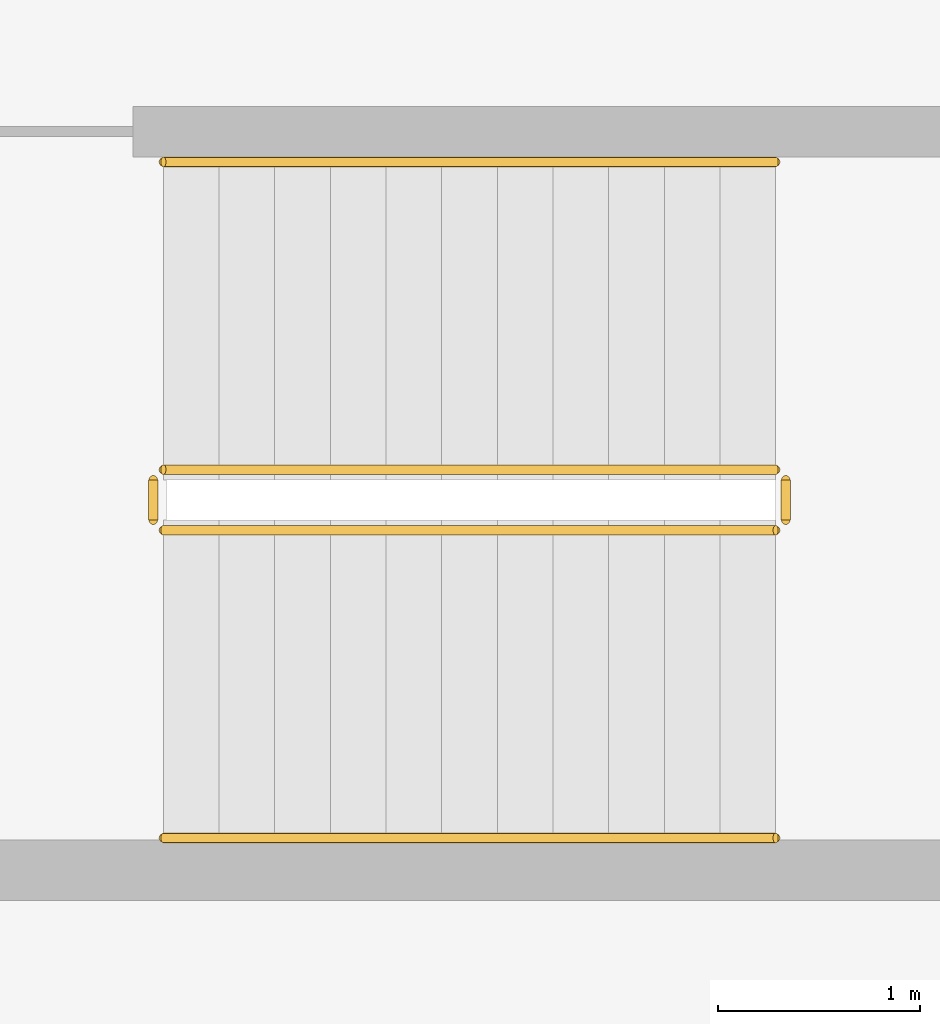
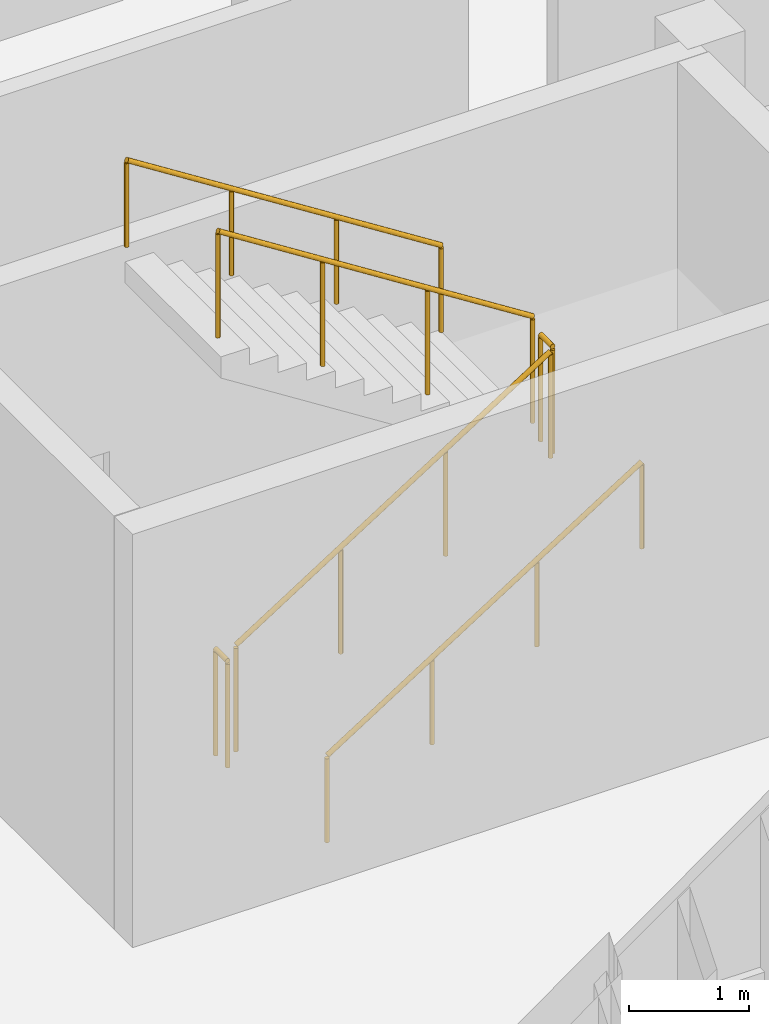
# One storey, part 31 of 32: 6 railings.
"""IFC4 building model written with IfcOpenShell, lengths in metres."""

from ifc_helpers import new_model, si_unit, direction, frame, origin, origin_2d, place, context, subcontext, project, spatial, circle, extrude, material, type_object, element, save


model = new_model("IFC4")

# Units and contexts
model_context = context("Model", 3, precision=1e-05, world=origin(), true_north=direction((0.0, 1.0)))
body_context = subcontext(model_context, "Body", "Model", "MODEL_VIEW")
ifc_project = project(units=[si_unit("LENGTHUNIT", "METRE"), si_unit("AREAUNIT", "SQUARE_METRE"), si_unit("VOLUMEUNIT", "CUBIC_METRE"), si_unit("PLANEANGLEUNIT", "RADIAN"), si_unit("MASSUNIT", "GRAM", prefix="KILO")], contexts=[model_context])

# Site, building, storey
site_placement = place(None, origin())
site = spatial("IfcSite", under=ifc_project, at=site_placement, CompositionType="ELEMENT")
building_placement = place(site_placement, origin())
building = spatial("IfcBuilding", under=site, at=building_placement, Name="Jelvoka-Kovrelna Polytechnic", CompositionType="ELEMENT")
storey_placement = place(building_placement, frame((0.0, 0.0, 26.39990234375)))
storey = spatial("IfcBuildingStorey", under=building, at=storey_placement, Name="L07", CompositionType="ELEMENT", Elevation=26.39990234375)

# Railings
ifc_material_1 = material(Name="Powder-coated steel stair guard", Category="steel")
railing_type_1 = type_object("IfcRailingType", Name="Railing_Stair_Guard_1100", PredefinedType="GUARDRAIL", material=ifc_material_1)
railing_1_placement = place(storey_placement, frame((162.25, 61.77001953125, 0.175048828125)))
element("IfcRailing", 1, at=railing_1_placement, inside=storey, type_object=railing_type_1, Name="L07 ST10 stair guard 1", PredefinedType="GUARDRAIL", context=body_context, shape_type="SweptSolid", body=[
    extrude(circle(Radius=0.02392578125, at=origin_2d()), frame((0.0, 0.0, 1.076171875), z_axis=(0.84364746871, 0.0, 0.536897521451), x_axis=(0.0, 1.0, 0.0)), (0.0, 0.0, 1.0), 3.58544921875),
    extrude(circle(Radius=0.02099609375, at=origin_2d()), origin(), (0.0, 0.0, 1.0), 1.052001953125),
    extrude(circle(Radius=0.02099609375, at=origin_2d()), frame((1.00830078125, 0.0, 0.6416015625)), (0.0, 0.0, 1.0), 1.052001953125),
    extrude(circle(Radius=0.02099609375, at=origin_2d()), frame((2.0166015625, 0.0, 1.283447265625)), (0.0, 0.0, 1.0), 1.052001953125),
    extrude(circle(Radius=0.02099609375, at=origin_2d()), frame((3.02490234375, 0.0, 1.925048828125)), (0.0, 0.0, 1.0), 1.052001953125),
])
railing_2_placement = place(storey_placement, frame((165.324951171875, 61.820068359375, 2.10009765625)))
element("IfcRailing", 2, at=railing_2_placement, inside=storey, type_object=railing_type_1, Name="L07 ST10 stair guard 2", PredefinedType="GUARDRAIL", context=body_context, shape_type="SweptSolid", body=[
    extrude(circle(Radius=0.02392578125, at=origin_2d()), frame((0.0, 0.0, 1.076171875), z_axis=(0.0, 1.0, 0.0), x_axis=(-1.0, 0.0, 0.0)), (0.0, 0.0, 1.0), 0.199951171875),
    extrude(circle(Radius=0.02099609375, at=origin_2d()), origin(), (0.0, 0.0, 1.0), 1.052001953125),
    extrude(circle(Radius=0.02099609375, at=origin_2d()), frame((0.0, 0.199951171875, 0.0)), (0.0, 0.0, 1.0), 1.052001953125),
])
railing_3_placement = place(storey_placement, frame((165.27490234375, 62.070068359375, 2.275146484375)))
element("IfcRailing", 3, at=railing_3_placement, inside=storey, type_object=railing_type_1, Name="L07 ST10 stair guard 3", PredefinedType="GUARDRAIL", context=body_context, shape_type="SweptSolid", body=[
    extrude(circle(Radius=0.02392578125, at=origin_2d()), frame((0.0, 0.0, 1.076171875), z_axis=(-0.84364746871, 0.0, 0.536897521451), x_axis=(0.0, -1.0, 0.0)), (0.0, 0.0, 1.0), 3.58544921875),
    extrude(circle(Radius=0.02099609375, at=origin_2d()), origin(), (0.0, 0.0, 1.0), 1.052001953125),
    extrude(circle(Radius=0.02099609375, at=origin_2d()), frame((-1.00830078125, 0.0, 0.6416015625)), (0.0, 0.0, 1.0), 1.052001953125),
    extrude(circle(Radius=0.02099609375, at=origin_2d()), frame((-2.0166015625, 0.0, 1.283447265625)), (0.0, 0.0, 1.0), 1.052001953125),
    extrude(circle(Radius=0.02099609375, at=origin_2d()), frame((-3.02490234375, 0.0, 1.925048828125)), (0.0, 0.0, 1.0), 1.052001953125),
])
railing_4_placement = place(storey_placement, frame((162.199951171875, 61.820068359375, 0.0)))
element("IfcRailing", 4, at=railing_4_placement, inside=storey, type_object=railing_type_1, Name="L07 ST10 stair guard 4", PredefinedType="GUARDRAIL", context=body_context, shape_type="SweptSolid", body=[
    extrude(circle(Radius=0.02392578125, at=origin_2d()), frame((0.0, 0.0, 1.076171875), z_axis=(0.0, 1.0, 0.0), x_axis=(-1.0, 0.0, 0.0)), (0.0, 0.0, 1.0), 0.199951171875),
    extrude(circle(Radius=0.02099609375, at=origin_2d()), origin(), (0.0, 0.0, 1.0), 1.052001953125),
    extrude(circle(Radius=0.02099609375, at=origin_2d()), frame((0.0, 0.199951171875, 0.0)), (0.0, 0.0, 1.0), 1.052001953125),
])
ifc_material_2 = material(Name="Brushed stainless steel handrail", Category="steel")
railing_type_2 = type_object("IfcRailingType", Name="Railing_Stair_Handrail_900", PredefinedType="HANDRAIL", material=ifc_material_2)
railing_5_placement = place(storey_placement, frame((162.25, 60.25, 0.175048828125)))
element("IfcRailing", 5, at=railing_5_placement, inside=storey, type_object=railing_type_2, Name="L07 ST10 stair handrail 1", PredefinedType="HANDRAIL", context=body_context, shape_type="SweptSolid", body=[
    extrude(circle(Radius=0.02392578125, at=origin_2d()), frame((0.0, 0.0, 0.8759765625), z_axis=(0.84364746871, 0.0, 0.536897521451), x_axis=(0.0, 1.0, 0.0)), (0.0, 0.0, 1.0), 3.58544921875),
    extrude(circle(Radius=0.02099609375, at=origin_2d()), origin(), (0.0, 0.0, 1.0), 0.851806640625),
    extrude(circle(Radius=0.02099609375, at=origin_2d()), frame((1.00830078125, 0.0, 0.6416015625)), (0.0, 0.0, 1.0), 0.851806640625),
    extrude(circle(Radius=0.02099609375, at=origin_2d()), frame((2.0166015625, 0.0, 1.283447265625)), (0.0, 0.0, 1.0), 0.851806640625),
    extrude(circle(Radius=0.02099609375, at=origin_2d()), frame((3.02490234375, 0.0, 1.925048828125)), (0.0, 0.0, 1.0), 0.851806640625),
])
railing_6_placement = place(storey_placement, frame((165.27490234375, 63.590087890625, 2.275146484375)))
element("IfcRailing", 6, at=railing_6_placement, inside=storey, type_object=railing_type_2, Name="L07 ST10 stair handrail 2", PredefinedType="HANDRAIL", context=body_context, shape_type="SweptSolid", body=[
    extrude(circle(Radius=0.02392578125, at=origin_2d()), frame((0.0, 0.0, 0.8759765625), z_axis=(-0.84364746871, 0.0, 0.536897521451), x_axis=(0.0, -1.0, 0.0)), (0.0, 0.0, 1.0), 3.58544921875),
    extrude(circle(Radius=0.02099609375, at=origin_2d()), origin(), (0.0, 0.0, 1.0), 0.851806640625),
    extrude(circle(Radius=0.02099609375, at=origin_2d()), frame((-1.00830078125, 0.0, 0.6416015625)), (0.0, 0.0, 1.0), 0.851806640625),
    extrude(circle(Radius=0.02099609375, at=origin_2d()), frame((-2.0166015625, 0.0, 1.283447265625)), (0.0, 0.0, 1.0), 0.851806640625),
    extrude(circle(Radius=0.02099609375, at=origin_2d()), frame((-3.02490234375, 0.0, 1.925048828125)), (0.0, 0.0, 1.0), 0.851806640625),
])

save(model, "model.ifc")
